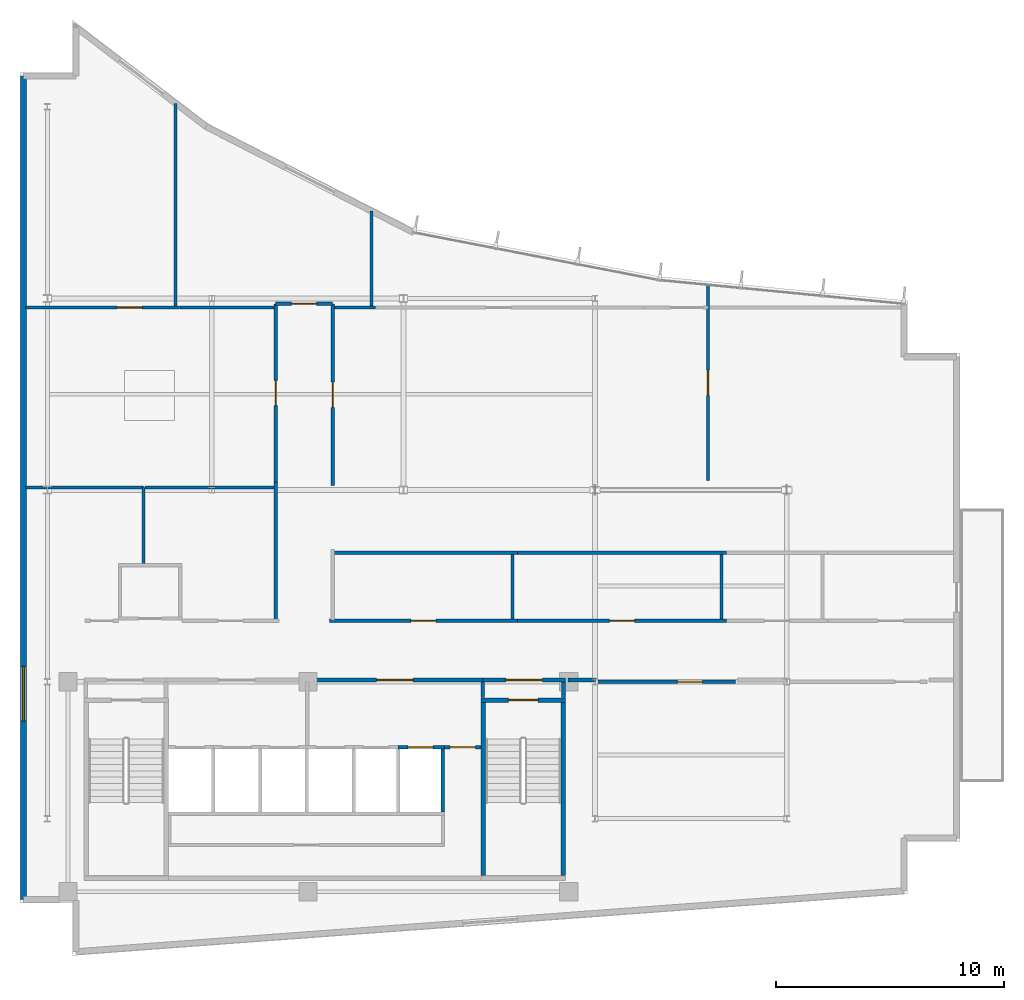
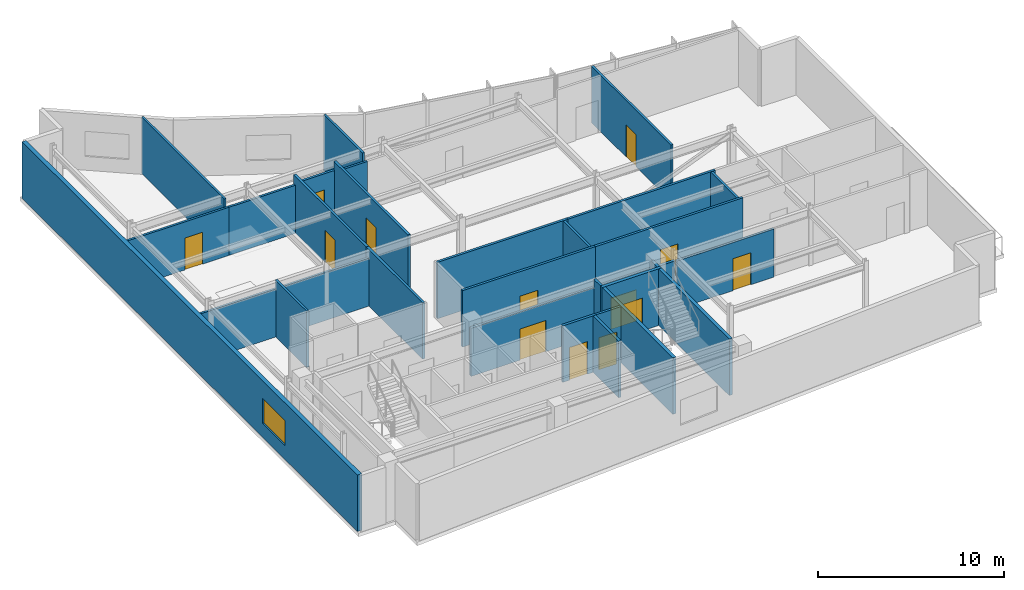
# One storey, part 12 of 16: 32 walls, 13 doors, 1 window, 14 openings.
"""IFC4 building model written with IfcOpenShell, lengths in metres."""

from ifc_helpers import new_model, si_unit, direction, frame, frame_2d, origin, place, context, subcontext, project, spatial, rectangle, extrude, material, layer, layer_set, type_object, element, fill, save


model = new_model("IFC4")

# Units and contexts
model_context = context("Model", 3, precision=1e-05, world=origin(), true_north=direction((0.0, 1.0)))
body_context = subcontext(model_context, "Body", "Model", "MODEL_VIEW")
ifc_project = project(units=[si_unit("LENGTHUNIT", "METRE"), si_unit("AREAUNIT", "SQUARE_METRE"), si_unit("VOLUMEUNIT", "CUBIC_METRE"), si_unit("PLANEANGLEUNIT", "RADIAN"), si_unit("MASSUNIT", "GRAM", prefix="KILO")], contexts=[model_context])

# Site, building, storey
site_placement = place(None, origin())
site = spatial("IfcSite", under=ifc_project, at=site_placement, CompositionType="ELEMENT")
building_placement = place(site_placement, origin())
building = spatial("IfcBuilding", under=site, at=building_placement, Name="Varnakote Quay Hospital", CompositionType="ELEMENT")
storey_placement = place(building_placement, frame((0.0, 0.0, 272.35009765625)))
storey = spatial("IfcBuildingStorey", under=building, at=storey_placement, Name="L67", CompositionType="ELEMENT", Elevation=272.35009765625)

# Wall, opening, door
ifc_material_1 = material(Name="Fire-rated acoustic gypsum stud wall", Category="gypsum")
ifc_layer_1 = layer(ifc_material_1, 0.159912109375)
ifc_layer_set_1 = layer_set([ifc_layer_1], Name="Fire-rated acoustic gypsum stud wall")
wall_type_1 = type_object("IfcWallType", Name="WL-COMP-160", PredefinedType="PARTITIONING", material=ifc_layer_set_1)
wall_1_placement = place(storey_placement, frame((12.580078125, 12.080078125, 0.0), z_axis=(0.0, 0.0, 1.0), x_axis=(1.0, 0.0, 0.0)))
wall_1 = element("IfcWall", 1, at=wall_1_placement, inside=storey, type_object=wall_type_1, Name="L67 Clinical Bed Lift Lobby Wall", PredefinedType="PARTITIONING", context=body_context, shape_type="SweptSolid", body=[
    extrude(rectangle(XDim=7.699951171875, YDim=0.159912109375, at=frame_2d((3.85009765625, 0.0))), origin(), (0.0, 0.0, 1.0), 3.156982421875),
])
opening_1_placement = place(wall_1_placement, frame((3.050048828125, 0.0, 0.0)))
opening_1 = element("IfcOpeningElement", 2, at=opening_1_placement, cuts=wall_1, Name="Opening D-SVL-L67", PredefinedType="OPENING", context=body_context, shape_type="SweptSolid", body=[
    extrude(rectangle(XDim=1.60009765625, YDim=2.050048828125, at=frame_2d((0.800048828125, 1.02490234375))), frame((0.0, 0.08984375, 0.0), z_axis=(0.0, -1.0, 0.0), x_axis=(1.0, 0.0, 0.0)), (0.0, 0.0, 1.0), 0.179931640625),
])
ifc_material_2 = material(Name="Fire-rated double smoke lobby door")
door_type_1 = type_object("IfcDoorType", Name="DR-LOBBY-FD60S-1600x2150", OperationType="NOTDEFINED", PredefinedType="DOOR", material=ifc_material_2)
door_1_placement = place(opening_1_placement, origin())
door_1 = element("IfcDoor", 3, at=door_1_placement, inside=storey, type_object=door_type_1, Name="L67 Clinical Core Smoke Vestibule Door", OperationType="DOUBLE_DOOR_SINGLE_SWING", OverallHeight=2.050048828125, OverallWidth=1.60009765625, PredefinedType="DOOR", context=body_context, shape_type="SweptSolid", body=[
    extrude(rectangle(XDim=1.60009765625, YDim=2.050048828125, at=frame_2d((0.800048828125, 1.02490234375))), frame((0.0, 0.02490234375, 0.0), z_axis=(0.0, -1.0, 0.0), x_axis=(1.0, 0.0, 0.0)), (0.0, 0.0, 1.0), 0.050048828125),
])
fill(opening_1, door_1)

# Wall
wall_2_placement = place(storey_placement, frame((20.280029296875, 11.300048828125, 0.0), z_axis=(0.0, 0.0, 1.0), x_axis=(0.0, 1.0, 0.0)))
element("IfcWall", 4, at=wall_2_placement, inside=storey, type_object=wall_type_1, Name="L67 East Stair Vestibule Divider Wall", PredefinedType="PARTITIONING", context=body_context, shape_type="SweptSolid", body=[
    extrude(rectangle(XDim=0.699951171875, YDim=0.159912109375, at=frame_2d((0.35009765625, 0.0))), origin(), (0.0, 0.0, 1.0), 3.7099609375),
])

# Wall, opening, door
wall_3_placement = place(storey_placement, frame((20.280029296875, 12.080078125, 0.0), z_axis=(0.0, 0.0, 1.0), x_axis=(1.0, 0.0, 0.0)))
wall_3 = element("IfcWall", 5, at=wall_3_placement, inside=storey, type_object=wall_type_1, Name="L67 East Stair Vestibule Smoke Wall", PredefinedType="PARTITIONING", context=body_context, shape_type="SweptSolid", body=[
    extrude(rectangle(XDim=3.619873046875, YDim=0.159912109375, at=frame_2d((1.81005859375, 0.0))), origin(), (0.0, 0.0, 1.0), 3.156982421875),
])
opening_2_placement = place(wall_3_placement, frame((1.010009765625, 0.0, 0.0)))
opening_2 = element("IfcOpeningElement", 6, at=opening_2_placement, cuts=wall_3, Name="Opening D-ST2L-L67", PredefinedType="OPENING", context=body_context, shape_type="SweptSolid", body=[
    extrude(rectangle(XDim=1.60009765625, YDim=2.050048828125, at=frame_2d((0.800048828125, 1.02490234375))), frame((0.0, 0.08984375, 0.0), z_axis=(0.0, -1.0, 0.0), x_axis=(1.0, 0.0, 0.0)), (0.0, 0.0, 1.0), 0.179931640625),
])
door_2_placement = place(opening_2_placement, origin())
door_2 = element("IfcDoor", 7, at=door_2_placement, inside=storey, type_object=door_type_1, Name="L67 East Stair Vestibule Smoke Door", OperationType="DOUBLE_DOOR_SINGLE_SWING", OverallHeight=2.050048828125, OverallWidth=1.60009765625, PredefinedType="DOOR", context=body_context, shape_type="SweptSolid", body=[
    extrude(rectangle(XDim=1.60009765625, YDim=2.050048828125, at=frame_2d((0.800048828125, 1.02490234375))), frame((0.0, 0.02490234375, 0.0), z_axis=(0.0, -1.0, 0.0), x_axis=(1.0, 0.0, 0.0)), (0.0, 0.0, 1.0), 0.050048828125),
])
fill(opening_2, door_2)

# Walls
wall_4_placement = place(storey_placement, frame((23.820068359375, 11.300048828125, 0.0), z_axis=(0.0, 0.0, 1.0), x_axis=(0.0, 1.0, 0.0)))
element("IfcWall", 8, at=wall_4_placement, inside=storey, type_object=wall_type_1, Name="L67 East Stair Vestibule East Wall", PredefinedType="PARTITIONING", context=body_context, shape_type="SweptSolid", body=[
    extrude(rectangle(XDim=0.699951171875, YDim=0.159912109375, at=frame_2d((0.35009765625, 0.0))), origin(), (0.0, 0.0, 1.0), 3.7099609375),
])
wall_5_placement = place(storey_placement, frame((24.02001953125, 12.080078125, 0.0), z_axis=(0.0, 0.0, 1.0), x_axis=(1.0, 0.0, 0.0)))
element("IfcWall", 9, at=wall_5_placement, inside=storey, type_object=wall_type_1, Name="L67 Corridor South Gap Wall", PredefinedType="PARTITIONING", context=body_context, shape_type="SweptSolid", body=[
    extrude(rectangle(XDim=1.2177734375, YDim=0.159912109375, at=frame_2d((0.60888671875, 0.0))), origin(), (0.0, 0.0, 1.0), 3.156982421875),
])

# Wall, opening, window
ifc_material_3 = material(Name="Precast concrete N50 (f'c 50 MPa)", Category="concrete")
ifc_layer_2 = layer(ifc_material_3, 0.260009765625)
ifc_layer_set_2 = layer_set([ifc_layer_2], Name="Precast concrete N50 (f'c 50 MPa)")
wall_type_2 = type_object("IfcWallType", Name="WL-EXT-BRICK-260", PredefinedType="STANDARD", material=ifc_layer_set_2)
wall_6_placement = place(storey_placement, frame((0.159912109375, 38.5400390625, 0.0), z_axis=(0.0, 0.0, 1.0), x_axis=(0.0, -1.0, 0.0)))
wall_6 = element("IfcWall", 10, at=wall_6_placement, inside=storey, type_object=wall_type_2, Name="L67 Brick-Faced Precast Exterior Wall", PredefinedType="STANDARD", context=body_context, shape_type="SweptSolid", body=[
    extrude(rectangle(XDim=36.080078125, YDim=0.260009765625, at=frame_2d((18.0400390625, 0.0))), origin(), (0.0, 0.0, 1.0), 3.7099609375),
])
opening_3_placement = place(wall_6_placement, frame((25.860107421875, 0.0, 0.89990234375)))
opening_3 = element("IfcOpeningElement", 11, at=opening_3_placement, cuts=wall_6, Name="Opening WN-0273", PredefinedType="OPENING", context=body_context, shape_type="SweptSolid", body=[
    extrude(rectangle(XDim=2.39990234375, YDim=1.64990234375, at=frame_2d((1.199951171875, 0.824951171875))), frame((0.0, 0.139892578125, 0.0), z_axis=(0.0, -1.0, 0.0), x_axis=(1.0, 0.0, 0.0)), (0.0, 0.0, 1.0), 0.280029296875),
])
ifc_material_4 = material(Name="Double-glazed low-E solar glass", Category="glass")
window_type = type_object("IfcWindowType", Name="WIN-CLIN-2400x1650", PartitioningType="SINGLE_PANEL", PredefinedType="WINDOW", material=ifc_material_4)
window_placement = place(opening_3_placement, origin())
window = element("IfcWindow", 12, at=window_placement, inside=storey, type_object=window_type, Name="L67 Solar-Control Clinical Window", OverallHeight=1.64990234375, OverallWidth=2.39990234375, PartitioningType="SINGLE_PANEL", PredefinedType="WINDOW", context=body_context, shape_type="SweptSolid", body=[
    extrude(rectangle(XDim=2.39990234375, YDim=1.64990234375, at=frame_2d((1.199951171875, 0.824951171875))), frame((0.0, 0.030029296875, 0.0), z_axis=(0.0, -1.0, 0.0), x_axis=(1.0, 0.0, 0.0)), (0.0, 0.0, 1.0), 0.06005859375),
])
fill(opening_3, window)

# Wall
ifc_material_5 = material(Name="Concrete N50 (f'c 50 MPa)", Category="concrete")
ifc_layer_3 = layer(ifc_material_5, 0.159912109375)
ifc_layer_set_3 = layer_set([ifc_layer_3], Name="Concrete N50 (f'c 50 MPa)")
wall_type_3 = type_object("IfcWallType", Name="WL-SHAFT-N50-160", PredefinedType="SHEAR", material=ifc_layer_set_3)
wall_7_placement = place(storey_placement, frame((18.530029296875, 6.300048828125, 0.0), z_axis=(0.0, 0.0, 1.0), x_axis=(0.0, 1.0, 0.0)))
element("IfcWall", 13, at=wall_7_placement, inside=storey, type_object=wall_type_3, Name="L67 REAR Lift Bank East Shear Wall", PredefinedType="SHEAR", context=body_context, shape_type="SweptSolid", body=[
    extrude(rectangle(XDim=2.75, YDim=0.159912109375, at=frame_2d((1.375, 0.0))), origin(), (0.0, 0.0, 1.0), 3.7099609375),
])

# Wall, opening, door
wall_8_placement = place(storey_placement, frame((16.574951171875, 9.1298828125, 0.0), z_axis=(0.0, 0.0, 1.0), x_axis=(1.0, 0.0, 0.0)))
wall_8 = element("IfcWall", 14, at=wall_8_placement, inside=storey, type_object=wall_type_3, Name="L67 LF-PH2 Hoistway Front Wall", PredefinedType="SHEAR", context=body_context, shape_type="SweptSolid", body=[
    extrude(rectangle(XDim=2.03515625, YDim=0.159912109375, at=frame_2d((1.017578125, 0.0))), origin(), (0.0, 0.0, 1.0), 3.7099609375),
])
opening_4_placement = place(wall_8_placement, frame((0.425048828125, 0.0, 0.0)))
opening_4 = element("IfcOpeningElement", 15, at=opening_4_placement, cuts=wall_8, Name="Opening LD-PH2-L67", PredefinedType="OPENING", context=body_context, shape_type="SweptSolid", body=[
    extrude(rectangle(XDim=1.10009765625, YDim=2.14990234375, at=frame_2d((0.550048828125, 1.074951171875))), frame((0.0, 0.08984375, 0.0), z_axis=(0.0, -1.0, 0.0), x_axis=(1.0, 0.0, 0.0)), (0.0, 0.0, 1.0), 0.179931640625),
])
ifc_material_6 = material(Name="Brushed bronze lift landing sliding door")
door_type_2 = type_object("IfcDoorType", Name="DR-LIFT-LD-1100x2150", OperationType="NOTDEFINED", PredefinedType="DOOR", material=ifc_material_6)
door_3_placement = place(opening_4_placement, origin())
door_3 = element("IfcDoor", 16, at=door_3_placement, inside=storey, type_object=door_type_2, Name="L67 LF-PH2 Lift Landing Sliding Door", OperationType="SLIDING_TO_LEFT", OverallHeight=2.14990234375, OverallWidth=1.10009765625, PredefinedType="DOOR", context=body_context, shape_type="SweptSolid", body=[
    extrude(rectangle(XDim=1.10009765625, YDim=2.14990234375, at=frame_2d((0.550048828125, 1.074951171875))), frame((0.0, 0.02490234375, 0.0), z_axis=(0.0, -1.0, 0.0), x_axis=(1.0, 0.0, 0.0)), (0.0, 0.0, 1.0), 0.050048828125),
])
fill(opening_4, door_3)

# Walls
ifc_material_7 = material(Name="Concrete N50 (f'c 50 MPa)", Category="concrete")
ifc_layer_4 = layer(ifc_material_7, 0.199951171875)
ifc_layer_set_4 = layer_set([ifc_layer_4], Name="Concrete N50 (f'c 50 MPa)")
wall_type_4 = type_object("IfcWallType", Name="WL-SHAFT-N50-200", PredefinedType="SHEAR", material=ifc_layer_set_4)
for number, where, z_axis, x_axis, name in (
    (17, (20.300048828125, 3.5, 0.0), (0.0, 0.0, 1.0), (0.0, 1.0, 0.0), "L67 Stair ST2 West Shaft Wall"),
    (18, (23.800048828125, 3.5, 0.0), (0.0, 0.0, 1.0), (0.0, 1.0, 0.0), "L67 Stair ST2 East Shaft Wall"),
):
    element("IfcWall", number, at=place(storey_placement, frame(where, z_axis=z_axis, x_axis=x_axis)), inside=storey, type_object=wall_type_4, Name=name, PredefinedType="SHEAR", context=body_context, shape_type="SweptSolid", body=[
        extrude(rectangle(XDim=7.60009765625, YDim=0.199951171875, at=frame_2d((3.800048828125, 0.0))), origin(), (0.0, 0.0, 1.0), 3.7099609375),
    ])

# Wall, opening, door
wall_9_placement = place(storey_placement, frame((20.199951171875, 11.199951171875, 0.0), z_axis=(0.0, 0.0, 1.0), x_axis=(1.0, 0.0, 0.0)))
wall_9 = element("IfcWall", 19, at=wall_9_placement, inside=storey, type_object=wall_type_4, Name="L67 Stair ST2 Exit Wall", PredefinedType="SHEAR", context=body_context, shape_type="SweptSolid", body=[
    extrude(rectangle(XDim=3.699951171875, YDim=0.199951171875, at=frame_2d((1.85009765625, 0.0))), origin(), (0.0, 0.0, 1.0), 3.7099609375),
])
opening_5_placement = place(wall_9_placement, frame((1.199951171875, 0.0, 0.0)))
opening_5 = element("IfcOpeningElement", 20, at=opening_5_placement, cuts=wall_9, Name="Opening D-ST2-L67", PredefinedType="OPENING", context=body_context, shape_type="SweptSolid", body=[
    extrude(rectangle(XDim=1.300048828125, YDim=2.14990234375, at=frame_2d((0.64990234375, 1.074951171875))), frame((0.0, 0.10986328125, 0.0), z_axis=(0.0, -1.0, 0.0), x_axis=(1.0, 0.0, 0.0)), (0.0, 0.0, 1.0), 0.219970703125),
])
ifc_material_8 = material(Name="Fire-rated ceramic-glazed timber exit door", Category="wood")
door_type_3 = type_object("IfcDoorType", Name="DR-STAIR-FD60S-1300x2150", OperationType="NOTDEFINED", PredefinedType="DOOR", material=ifc_material_8)
door_4_placement = place(opening_5_placement, origin())
door_4 = element("IfcDoor", 21, at=door_4_placement, inside=storey, type_object=door_type_3, Name="L67 Stair ST2 Fire Exit Door", OperationType="SINGLE_SWING_RIGHT", OverallHeight=2.14990234375, OverallWidth=1.300048828125, PredefinedType="DOOR", context=body_context, shape_type="SweptSolid", body=[
    extrude(rectangle(XDim=1.300048828125, YDim=2.14990234375, at=frame_2d((0.64990234375, 1.074951171875))), frame((0.0, 0.02490234375, 0.0), z_axis=(0.0, -1.0, 0.0), x_axis=(1.0, 0.0, 0.0)), (0.0, 0.0, 1.0), 0.050048828125),
])
fill(opening_5, door_4)

# Walls
ifc_material_9 = material(Name="Smoke-proof clinical partition", Category="gypsum")
ifc_layer_5 = layer(ifc_material_9, 0.135009765625)
ifc_layer_set_5 = layer_set([ifc_layer_5], Name="Smoke-proof clinical partition")
wall_type_5 = type_object("IfcWallType", Name="WL-SMOKE-135", PredefinedType="PARTITIONING", material=ifc_layer_set_5)
wall_10_placement = place(storey_placement, frame((5.409912109375, 17.139892578125, 0.0), z_axis=(0.0, 0.0, 1.0), x_axis=(0.0, 1.0, 0.0)))
element("IfcWall", 22, at=wall_10_placement, inside=storey, type_object=wall_type_5, Name="L67 Clinical Interior Partition", PredefinedType="PARTITIONING", context=body_context, shape_type="SweptSolid", body=[
    extrude(rectangle(XDim=3.380126953125, YDim=0.135009765625, at=frame_2d((1.68994140625, 0.0))), origin(), (0.0, 0.0, 1.0), 3.7099609375),
])
wall_11_placement = place(storey_placement, frame((5.409912109375, 20.52001953125, 0.0), z_axis=(0.0, 0.0, 1.0), x_axis=(-1.0, 0.0, 0.0)))
element("IfcWall", 23, at=wall_11_placement, inside=storey, type_object=wall_type_5, Name="L67 Clinical Interior Partition", PredefinedType="PARTITIONING", context=body_context, shape_type="SweptSolid", body=[
    extrude(rectangle(XDim=5.169921875, YDim=0.135009765625, at=frame_2d((2.5849609375, 0.0))), origin(), (0.0, 0.0, 1.0), 3.156982421875),
])
wall_12_placement = place(storey_placement, frame((11.1201171875, 20.52001953125, 0.0), z_axis=(0.0, 0.0, 1.0), x_axis=(-1.0, 0.0, 0.0)))
element("IfcWall", 24, at=wall_12_placement, inside=storey, type_object=wall_type_5, Name="L67 Clinical Interior Partition", PredefinedType="PARTITIONING", context=body_context, shape_type="SweptSolid", body=[
    extrude(rectangle(XDim=5.652587890625, YDim=0.135009765625, at=frame_2d((2.826171875, 0.0))), origin(), (0.0, 0.0, 1.0), 3.156982421875),
])
for number, where, z_axis, x_axis, name in (
    (25, (21.580078125, 14.760009765625, 0.0), (0.0, 0.0, 1.0), (0.0, 1.0, 0.0), "L67 Clinical Interior Partition"),
    (26, (30.739990234375, 14.760009765625, 0.0), (0.0, 0.0, 1.0), (0.0, 1.0, 0.0), "L67 Clinical Interior Partition"),
):
    element("IfcWall", number, at=place(storey_placement, frame(where, z_axis=z_axis, x_axis=x_axis)), inside=storey, type_object=wall_type_5, Name=name, PredefinedType="PARTITIONING", context=body_context, shape_type="SweptSolid", body=[
        extrude(rectangle(XDim=2.81005859375, YDim=0.135009765625, at=frame_2d((1.405029296875, 0.0))), origin(), (0.0, 0.0, 1.0), 3.7099609375),
    ])

# Wall, opening, door
wall_13_placement = place(storey_placement, frame((6.99853515625, 28.39990234375, 0.0), z_axis=(0.0, 0.0, 1.0), x_axis=(-1.0, 0.0, 0.0)))
wall_13 = element("IfcWall", 27, at=wall_13_placement, inside=storey, type_object=wall_type_5, Name="L67 Clinical Interior Partition", PredefinedType="PARTITIONING", context=body_context, shape_type="SweptSolid", body=[
    extrude(rectangle(XDim=6.758544921875, YDim=0.135009765625, at=frame_2d((3.37939453125, 0.0))), origin(), (0.0, 0.0, 1.0), 3.156982421875),
])
opening_6_placement = place(wall_13_placement, frame((1.64599609375, 0.0, 0.0)))
opening_6 = element("IfcOpeningElement", 28, at=opening_6_placement, cuts=wall_13, Name="Opening D-L67-MD09", PredefinedType="OPENING", context=body_context, shape_type="SweptSolid", body=[
    extrude(rectangle(XDim=1.10009765625, YDim=2.10009765625, at=frame_2d((0.550048828125, 1.050048828125))), frame((0.0, 0.077392578125, 0.0), z_axis=(0.0, -1.0, 0.0), x_axis=(1.0, 0.0, 0.0)), (0.0, 0.0, 1.0), 0.155029296875),
])
ifc_material_10 = material(Name="Acoustic timber clinical consult door", Category="wood")
door_type_4 = type_object("IfcDoorType", Name="DR-CLIN-FD30S-1100x2100", OperationType="NOTDEFINED", PredefinedType="DOOR", material=ifc_material_10)
door_5_placement = place(opening_6_placement, origin())
door_5 = element("IfcDoor", 29, at=door_5_placement, inside=storey, type_object=door_type_4, Name="L67 Surgical Fellowship Teaching Room Door", OperationType="SINGLE_SWING_LEFT", OverallHeight=2.10009765625, OverallWidth=1.10009765625, PredefinedType="DOOR", context=body_context, shape_type="SweptSolid", body=[
    extrude(rectangle(XDim=1.10009765625, YDim=2.10009765625, at=frame_2d((0.550048828125, 1.050048828125))), frame((0.0, 0.02490234375, 0.0), z_axis=(0.0, -1.0, 0.0), x_axis=(1.0, 0.0, 0.0)), (0.0, 0.0, 1.0), 0.050048828125),
])
fill(opening_6, door_5)

# Wall
wall_14_placement = place(storey_placement, frame((11.1201171875, 28.39990234375, 0.0), z_axis=(0.0, 0.0, 1.0), x_axis=(-1.0, 0.0, 0.0)))
element("IfcWall", 30, at=wall_14_placement, inside=storey, type_object=wall_type_5, Name="L67 Clinical Interior Partition", PredefinedType="PARTITIONING", context=body_context, shape_type="SweptSolid", body=[
    extrude(rectangle(XDim=4.11962890625, YDim=0.135009765625, at=frame_2d((2.059814453125, 0.0))), origin(), (0.0, 0.0, 1.0), 3.156982421875),
])

# Wall, opening, door
wall_15_placement = place(storey_placement, frame((30.14990234375, 20.820068359375, 0.0), z_axis=(0.0, 0.0, 1.0), x_axis=(0.0, 1.0, 0.0)))
wall_15 = element("IfcWall", 31, at=wall_15_placement, inside=storey, type_object=wall_type_5, Name="L67 Clinical Interior Partition", PredefinedType="PARTITIONING", context=body_context, shape_type="SweptSolid", body=[
    extrude(rectangle(XDim=8.568115234375, YDim=0.135009765625, at=frame_2d((4.2841796875, 0.0))), origin(), (0.0, 0.0, 1.0), 3.7099609375),
])
opening_7_placement = place(wall_15_placement, frame((3.734130859375, 0.0, 0.0)))
opening_7 = element("IfcOpeningElement", 32, at=opening_7_placement, cuts=wall_15, Name="Opening D-L67-MD08", PredefinedType="OPENING", context=body_context, shape_type="SweptSolid", body=[
    extrude(rectangle(XDim=1.10009765625, YDim=2.10009765625, at=frame_2d((0.550048828125, 1.050048828125))), frame((0.0, 0.077392578125, 0.0), z_axis=(0.0, -1.0, 0.0), x_axis=(1.0, 0.0, 0.0)), (0.0, 0.0, 1.0), 0.155029296875),
])
door_6_placement = place(opening_7_placement, origin())
door_6 = element("IfcDoor", 33, at=door_6_placement, inside=storey, type_object=door_type_4, Name="L67 Fellowship Consult Office Door", OperationType="SINGLE_SWING_RIGHT", OverallHeight=2.10009765625, OverallWidth=1.10009765625, PredefinedType="DOOR", context=body_context, shape_type="SweptSolid", body=[
    extrude(rectangle(XDim=1.10009765625, YDim=2.10009765625, at=frame_2d((0.550048828125, 1.050048828125))), frame((0.0, 0.02490234375, 0.0), z_axis=(0.0, -1.0, 0.0), x_axis=(1.0, 0.0, 0.0)), (0.0, 0.0, 1.0), 0.050048828125),
])
fill(opening_7, door_6)

# Walls
wall_16_placement = place(storey_placement, frame((15.58837890625, 28.39990234375, 0.0), z_axis=(0.0, 0.0, 1.0), x_axis=(-1.0, 0.0, 0.0)))
element("IfcWall", 34, at=wall_16_placement, inside=storey, type_object=wall_type_5, Name="L67 Clinical Interior Partition", PredefinedType="PARTITIONING", context=body_context, shape_type="SweptSolid", body=[
    extrude(rectangle(XDim=1.808349609375, YDim=0.135009765625, at=frame_2d((0.904296875, 0.0))), origin(), (0.0, 0.0, 1.0), 3.156982421875),
])
wall_17_placement = place(storey_placement, frame((6.820068359375, 28.45751953125, 0.0), z_axis=(0.0, 0.0, 1.0), x_axis=(0.0, 1.0, 0.0)))
element("IfcWall", 35, at=wall_17_placement, inside=storey, type_object=wall_type_5, Name="L67 Clinical Interior Partition", PredefinedType="PARTITIONING", context=body_context, shape_type="SweptSolid", body=[
    extrude(rectangle(XDim=8.886474609375, YDim=0.135009765625, at=frame_2d((4.443359375, 0.0))), origin(), (0.0, 0.0, 1.0), 3.7099609375),
])
wall_18_placement = place(storey_placement, frame((15.409912109375, 28.45751953125, 0.0), z_axis=(0.0, 0.0, 1.0), x_axis=(0.0, 1.0, 0.0)))
element("IfcWall", 36, at=wall_18_placement, inside=storey, type_object=wall_type_5, Name="L67 Clinical Interior Partition", PredefinedType="PARTITIONING", context=body_context, shape_type="SweptSolid", body=[
    extrude(rectangle(XDim=4.16357421875, YDim=0.135009765625, at=frame_2d((2.081787109375, 0.0))), origin(), (0.0, 0.0, 1.0), 3.7099609375),
])

# Wall, opening, door
ifc_material_11 = material(Name="Fire-rated clinical gypsum partition", Category="gypsum")
ifc_layer_6 = layer(ifc_material_11, 0.139892578125)
ifc_layer_set_6 = layer_set([ifc_layer_6], Name="Fire-rated clinical gypsum partition")
wall_type_6 = type_object("IfcWallType", Name="WL-WARD-140", PredefinedType="PARTITIONING", material=ifc_layer_set_6)
wall_19_placement = place(storey_placement, frame((18.610107421875, 9.1298828125, 0.0), z_axis=(0.0, 0.0, 1.0), x_axis=(1.0, 0.0, 0.0)))
wall_19 = element("IfcWall", 37, at=wall_19_placement, inside=storey, type_object=wall_type_6, Name="L67 Core Service Corridor North Door Wall", PredefinedType="PARTITIONING", context=body_context, shape_type="SweptSolid", body=[
    extrude(rectangle(XDim=1.58984375, YDim=0.139892578125, at=frame_2d((0.794921875, 0.0))), origin(), (0.0, 0.0, 1.0), 3.7099609375),
])
opening_8_placement = place(wall_19_placement, frame((0.239990234375, 0.0, 0.0)))
opening_8 = element("IfcOpeningElement", 38, at=opening_8_placement, cuts=wall_19, Name="Opening D-CSRV-L67", PredefinedType="OPENING", context=body_context, shape_type="SweptSolid", body=[
    extrude(rectangle(XDim=1.10009765625, YDim=2.10009765625, at=frame_2d((0.550048828125, 1.050048828125))), frame((0.0, 0.079833984375, 0.0), z_axis=(0.0, -1.0, 0.0), x_axis=(1.0, 0.0, 0.0)), (0.0, 0.0, 1.0), 0.159912109375),
])
door_7_placement = place(opening_8_placement, origin())
door_7 = element("IfcDoor", 39, at=door_7_placement, inside=storey, type_object=door_type_4, Name="L67 Core Service Corridor Door", OperationType="SINGLE_SWING_RIGHT", OverallHeight=2.10009765625, OverallWidth=1.10009765625, PredefinedType="DOOR", context=body_context, shape_type="SweptSolid", body=[
    extrude(rectangle(XDim=1.10009765625, YDim=2.10009765625, at=frame_2d((0.550048828125, 1.050048828125))), frame((0.0, 0.02490234375, 0.0), z_axis=(0.0, -1.0, 0.0), x_axis=(1.0, 0.0, 0.0)), (0.0, 0.0, 1.0), 0.050048828125),
])
fill(opening_8, door_7)

ifc_material_12 = material(Name="Fire-rated clinical gypsum partition", Category="gypsum")
ifc_layer_7 = layer(ifc_material_12, 0.14990234375)
ifc_layer_set_7 = layer_set([ifc_layer_7], Name="Fire-rated clinical gypsum partition")
wall_type_7 = type_object("IfcWallType", Name="WL-WARD-150", PredefinedType="PARTITIONING", material=ifc_layer_set_7)
wall_20_placement = place(storey_placement, frame((31.35009765625, 12.0, 0.0), z_axis=(0.0, 0.0, 1.0), x_axis=(-1.0, 0.0, 0.0)))
wall_20 = element("IfcWall", 40, at=wall_20_placement, inside=storey, type_object=wall_type_7, Name="L67 Clinical Interior Partition", PredefinedType="PARTITIONING", context=body_context, shape_type="SweptSolid", body=[
    extrude(rectangle(XDim=6.023193359375, YDim=0.14990234375, at=frame_2d((3.01171875, 0.0))), origin(), (0.0, 0.0, 1.0), 3.156982421875),
])
opening_9_placement = place(wall_20_placement, frame((1.44384765625, 0.0, 0.0)))
opening_9 = element("IfcOpeningElement", 41, at=opening_9_placement, cuts=wall_20, Name="Opening D-L67-RL1", PredefinedType="OPENING", context=body_context, shape_type="SweptSolid", body=[
    extrude(rectangle(XDim=1.10009765625, YDim=2.10009765625, at=frame_2d((0.550048828125, 1.050048828125))), frame((0.0, 0.0849609375, 0.0), z_axis=(0.0, -1.0, 0.0), x_axis=(1.0, 0.0, 0.0)), (0.0, 0.0, 1.0), 0.169921875),
])
door_8_placement = place(opening_9_placement, origin())
door_8 = element("IfcDoor", 42, at=door_8_placement, inside=storey, type_object=door_type_4, Name="L67 Day Infusion Treatment Suite Door", OperationType="SINGLE_SWING_RIGHT", OverallHeight=2.10009765625, OverallWidth=1.10009765625, PredefinedType="DOOR", context=body_context, shape_type="SweptSolid", body=[
    extrude(rectangle(XDim=1.10009765625, YDim=2.10009765625, at=frame_2d((0.550048828125, 1.050048828125))), frame((0.0, 0.02490234375, 0.0), z_axis=(0.0, -1.0, 0.0), x_axis=(1.0, 0.0, 0.0)), (0.0, 0.0, 1.0), 0.050048828125),
])
fill(opening_9, door_8)

wall_21_placement = place(storey_placement, frame((21.805908203125, 14.679931640625, 0.0), z_axis=(0.0, 0.0, 1.0), x_axis=(-1.0, 0.0, 0.0)))
wall_21 = element("IfcWall", 43, at=wall_21_placement, inside=storey, type_object=wall_type_7, Name="L67 Clinical Interior Partition", PredefinedType="PARTITIONING", context=body_context, shape_type="SweptSolid", body=[
    extrude(rectangle(XDim=8.251953125, YDim=0.14990234375, at=frame_2d((4.1259765625, 0.0))), origin(), (0.0, 0.0, 1.0), 3.7099609375),
])
opening_10_placement = place(wall_21_placement, frame((3.575927734375, 0.0, 0.0)))
opening_10 = element("IfcOpeningElement", 44, at=opening_10_placement, cuts=wall_21, Name="Opening D-L67-MD03", PredefinedType="OPENING", context=body_context, shape_type="SweptSolid", body=[
    extrude(rectangle(XDim=1.10009765625, YDim=2.10009765625, at=frame_2d((0.550048828125, 1.050048828125))), frame((0.0, 0.0849609375, 0.0), z_axis=(0.0, -1.0, 0.0), x_axis=(1.0, 0.0, 0.0)), (0.0, 0.0, 1.0), 0.169921875),
])
door_9_placement = place(opening_10_placement, origin())
door_9 = element("IfcDoor", 45, at=door_9_placement, inside=storey, type_object=door_type_4, Name="L67 Clinical Audit Meeting Room Door", OperationType="SINGLE_SWING_RIGHT", OverallHeight=2.10009765625, OverallWidth=1.10009765625, PredefinedType="DOOR", context=body_context, shape_type="SweptSolid", body=[
    extrude(rectangle(XDim=1.10009765625, YDim=2.10009765625, at=frame_2d((0.550048828125, 1.050048828125))), frame((0.0, 0.02490234375, 0.0), z_axis=(0.0, -1.0, 0.0), x_axis=(1.0, 0.0, 0.0)), (0.0, 0.0, 1.0), 0.050048828125),
])
fill(opening_10, door_9)

wall_22_placement = place(storey_placement, frame((30.966064453125, 14.679931640625, 0.0), z_axis=(0.0, 0.0, 1.0), x_axis=(-1.0, 0.0, 0.0)))
wall_22 = element("IfcWall", 46, at=wall_22_placement, inside=storey, type_object=wall_type_7, Name="L67 Clinical Interior Partition", PredefinedType="PARTITIONING", context=body_context, shape_type="SweptSolid", body=[
    extrude(rectangle(XDim=9.157958984375, YDim=0.14990234375, at=frame_2d((4.5791015625, 0.0))), origin(), (0.0, 0.0, 1.0), 3.7099609375),
])
opening_11_placement = place(wall_22_placement, frame((4.029052734375, 0.0, 0.0)))
opening_11 = element("IfcOpeningElement", 47, at=opening_11_placement, cuts=wall_22, Name="Opening D-L67-MD04", PredefinedType="OPENING", context=body_context, shape_type="SweptSolid", body=[
    extrude(rectangle(XDim=1.10009765625, YDim=2.10009765625, at=frame_2d((0.550048828125, 1.050048828125))), frame((0.0, 0.0849609375, 0.0), z_axis=(0.0, -1.0, 0.0), x_axis=(1.0, 0.0, 0.0)), (0.0, 0.0, 1.0), 0.169921875),
])
door_10_placement = place(opening_11_placement, origin())
door_10 = element("IfcDoor", 48, at=door_10_placement, inside=storey, type_object=door_type_4, Name="L67 Fellowship Consult Office Door", OperationType="SINGLE_SWING_LEFT", OverallHeight=2.10009765625, OverallWidth=1.10009765625, PredefinedType="DOOR", context=body_context, shape_type="SweptSolid", body=[
    extrude(rectangle(XDim=1.10009765625, YDim=2.10009765625, at=frame_2d((0.550048828125, 1.050048828125))), frame((0.0, 0.02490234375, 0.0), z_axis=(0.0, -1.0, 0.0), x_axis=(1.0, 0.0, 0.0)), (0.0, 0.0, 1.0), 0.050048828125),
])
fill(opening_11, door_10)

# Wall
wall_23_placement = place(storey_placement, frame((11.199951171875, 20.74609375, 0.0), z_axis=(0.0, 0.0, 1.0), x_axis=(0.0, -1.0, 0.0)))
element("IfcWall", 49, at=wall_23_placement, inside=storey, type_object=wall_type_7, Name="L67 Clinical Interior Partition", PredefinedType="PARTITIONING", context=body_context, shape_type="SweptSolid", body=[
    extrude(rectangle(XDim=6.046142578125, YDim=0.14990234375, at=frame_2d((3.02294921875, 0.0))), origin(), (0.0, 0.0, 1.0), 3.7099609375),
])

# Wall, opening, door
wall_24_placement = place(storey_placement, frame((11.199951171875, 28.56005859375, 0.0), z_axis=(0.0, 0.0, 1.0), x_axis=(0.0, -1.0, 0.0)))
wall_24 = element("IfcWall", 50, at=wall_24_placement, inside=storey, type_object=wall_type_7, Name="L67 Clinical Interior Partition", PredefinedType="PARTITIONING", context=body_context, shape_type="SweptSolid", body=[
    extrude(rectangle(XDim=7.81201171875, YDim=0.14990234375, at=frame_2d((3.906005859375, 0.0))), origin(), (0.0, 0.0, 1.0), 3.7099609375),
])
opening_12_placement = place(wall_24_placement, frame((3.35595703125, 0.0, 0.0)))
opening_12 = element("IfcOpeningElement", 51, at=opening_12_placement, cuts=wall_24, Name="Opening D-L67-MD06", PredefinedType="OPENING", context=body_context, shape_type="SweptSolid", body=[
    extrude(rectangle(XDim=1.10009765625, YDim=2.10009765625, at=frame_2d((0.550048828125, 1.050048828125))), frame((0.0, 0.0849609375, 0.0), z_axis=(0.0, -1.0, 0.0), x_axis=(1.0, 0.0, 0.0)), (0.0, 0.0, 1.0), 0.169921875),
])
door_11_placement = place(opening_12_placement, origin())
door_11 = element("IfcDoor", 52, at=door_11_placement, inside=storey, type_object=door_type_4, Name="L67 Craniofacial Procedure Treatment Suite Door", OperationType="SINGLE_SWING_RIGHT", OverallHeight=2.10009765625, OverallWidth=1.10009765625, PredefinedType="DOOR", context=body_context, shape_type="SweptSolid", body=[
    extrude(rectangle(XDim=1.10009765625, YDim=2.10009765625, at=frame_2d((0.550048828125, 1.050048828125))), frame((0.0, 0.02490234375, 0.0), z_axis=(0.0, -1.0, 0.0), x_axis=(1.0, 0.0, 0.0)), (0.0, 0.0, 1.0), 0.050048828125),
])
fill(opening_12, door_11)

wall_25_placement = place(storey_placement, frame((13.699951171875, 20.593994140625, 0.0), z_axis=(0.0, 0.0, 1.0), x_axis=(0.0, 1.0, 0.0)))
wall_25 = element("IfcWall", 53, at=wall_25_placement, inside=storey, type_object=wall_type_7, Name="L67 Clinical Interior Partition", PredefinedType="PARTITIONING", context=body_context, shape_type="SweptSolid", body=[
    extrude(rectangle(XDim=7.966064453125, YDim=0.14990234375, at=frame_2d((3.98291015625, 0.0))), origin(), (0.0, 0.0, 1.0), 3.7099609375),
])
opening_13_placement = place(wall_25_placement, frame((3.43310546875, 0.0, 0.0)))
opening_13 = element("IfcOpeningElement", 54, at=opening_13_placement, cuts=wall_25, Name="Opening D-L67-MD07", PredefinedType="OPENING", context=body_context, shape_type="SweptSolid", body=[
    extrude(rectangle(XDim=1.10009765625, YDim=2.10009765625, at=frame_2d((0.550048828125, 1.050048828125))), frame((0.0, 0.0849609375, 0.0), z_axis=(0.0, -1.0, 0.0), x_axis=(1.0, 0.0, 0.0)), (0.0, 0.0, 1.0), 0.169921875),
])
door_12_placement = place(opening_13_placement, origin())
door_12 = element("IfcDoor", 55, at=door_12_placement, inside=storey, type_object=door_type_4, Name="L67 Clinical Audit Meeting Room Door", OperationType="SINGLE_SWING_LEFT", OverallHeight=2.10009765625, OverallWidth=1.10009765625, PredefinedType="DOOR", context=body_context, shape_type="SweptSolid", body=[
    extrude(rectangle(XDim=1.10009765625, YDim=2.10009765625, at=frame_2d((0.550048828125, 1.050048828125))), frame((0.0, 0.02490234375, 0.0), z_axis=(0.0, -1.0, 0.0), x_axis=(1.0, 0.0, 0.0)), (0.0, 0.0, 1.0), 0.050048828125),
])
fill(opening_13, door_12)

wall_26_placement = place(storey_placement, frame((13.699951171875, 28.56005859375, 0.0), z_axis=(0.0, 0.0, 1.0), x_axis=(-1.0, 0.0, 0.0)))
wall_26 = element("IfcWall", 56, at=wall_26_placement, inside=storey, type_object=wall_type_7, Name="L67 Clinical Interior Partition", PredefinedType="PARTITIONING", context=body_context, shape_type="SweptSolid", body=[
    extrude(rectangle(XDim=2.5, YDim=0.14990234375, at=frame_2d((1.25, 0.0))), origin(), (0.0, 0.0, 1.0), 3.156982421875),
])
opening_14_placement = place(wall_26_placement, frame((0.699951171875, 0.0, 0.0)))
opening_14 = element("IfcOpeningElement", 57, at=opening_14_placement, cuts=wall_26, Name="Opening D-L67-MD10", PredefinedType="OPENING", context=body_context, shape_type="SweptSolid", body=[
    extrude(rectangle(XDim=1.10009765625, YDim=2.10009765625, at=frame_2d((0.550048828125, 1.050048828125))), frame((0.0, 0.0849609375, 0.0), z_axis=(0.0, -1.0, 0.0), x_axis=(1.0, 0.0, 0.0)), (0.0, 0.0, 1.0), 0.169921875),
])
door_13_placement = place(opening_14_placement, origin())
door_13 = element("IfcDoor", 58, at=door_13_placement, inside=storey, type_object=door_type_4, Name="L67 Craniofacial Procedure Treatment Suite Door", OperationType="SINGLE_SWING_RIGHT", OverallHeight=2.10009765625, OverallWidth=1.10009765625, PredefinedType="DOOR", context=body_context, shape_type="SweptSolid", body=[
    extrude(rectangle(XDim=1.10009765625, YDim=2.10009765625, at=frame_2d((0.550048828125, 1.050048828125))), frame((0.0, 0.02490234375, 0.0), z_axis=(0.0, -1.0, 0.0), x_axis=(1.0, 0.0, 0.0)), (0.0, 0.0, 1.0), 0.050048828125),
])
fill(opening_14, door_13)

# Walls
wall_27_placement = place(storey_placement, frame((13.719970703125, 17.64990234375, 0.0), z_axis=(0.0, 0.0, 1.0), x_axis=(1.0, 0.0, 0.0)))
element("IfcWall", 59, at=wall_27_placement, inside=storey, type_object=wall_type_7, Name="L67 Clinical Interior Partition", PredefinedType="PARTITIONING", context=body_context, shape_type="SweptSolid", body=[
    extrude(rectangle(XDim=8.0859375, YDim=0.14990234375, at=frame_2d((4.04296875, 0.0))), origin(), (0.0, 0.0, 1.0), 3.7099609375),
])
wall_28_placement = place(storey_placement, frame((21.80810546875, 17.64990234375, 0.0), z_axis=(0.0, 0.0, 1.0), x_axis=(1.0, 0.0, 0.0)))
element("IfcWall", 60, at=wall_28_placement, inside=storey, type_object=wall_type_7, Name="L67 Clinical Interior Partition", PredefinedType="PARTITIONING", context=body_context, shape_type="SweptSolid", body=[
    extrude(rectangle(XDim=9.157958984375, YDim=0.14990234375, at=frame_2d((4.5791015625, 0.0))), origin(), (0.0, 0.0, 1.0), 3.7099609375),
])

save(model, "model.ifc")
